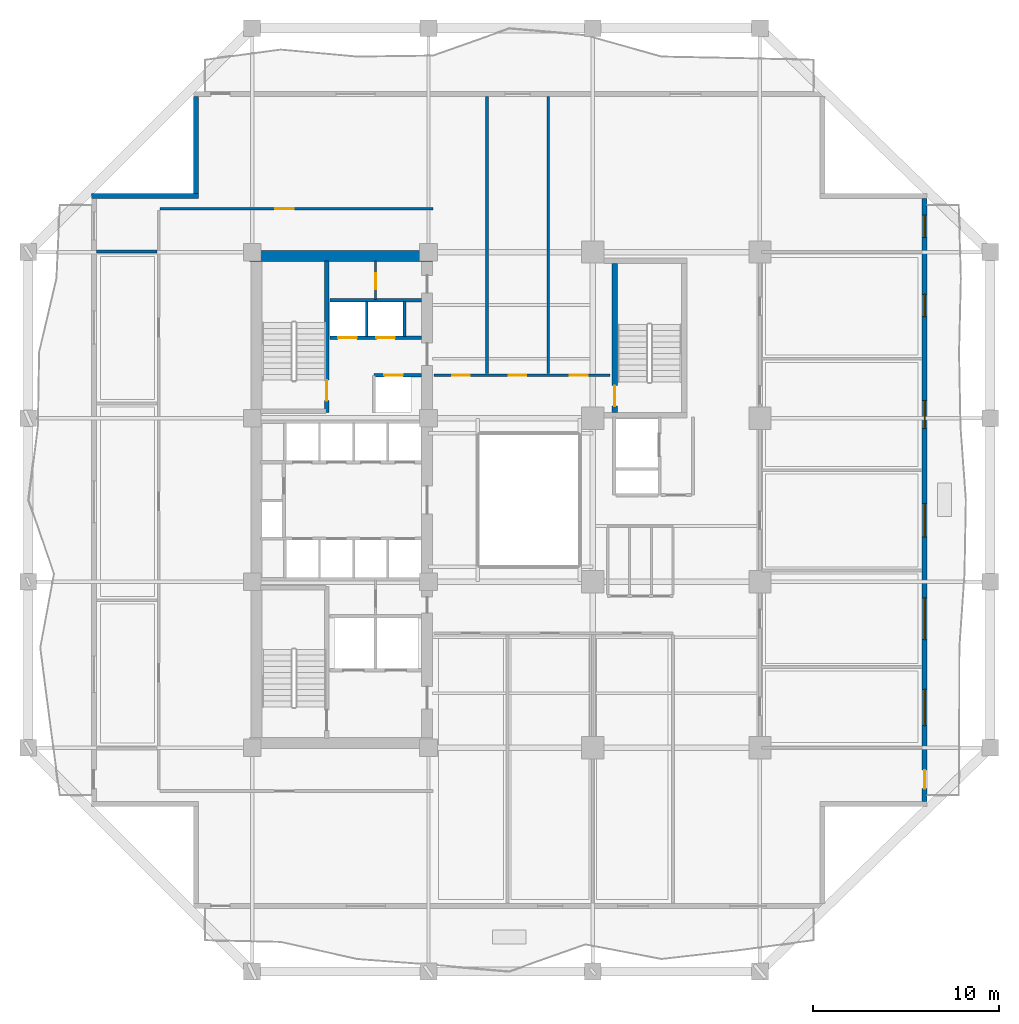
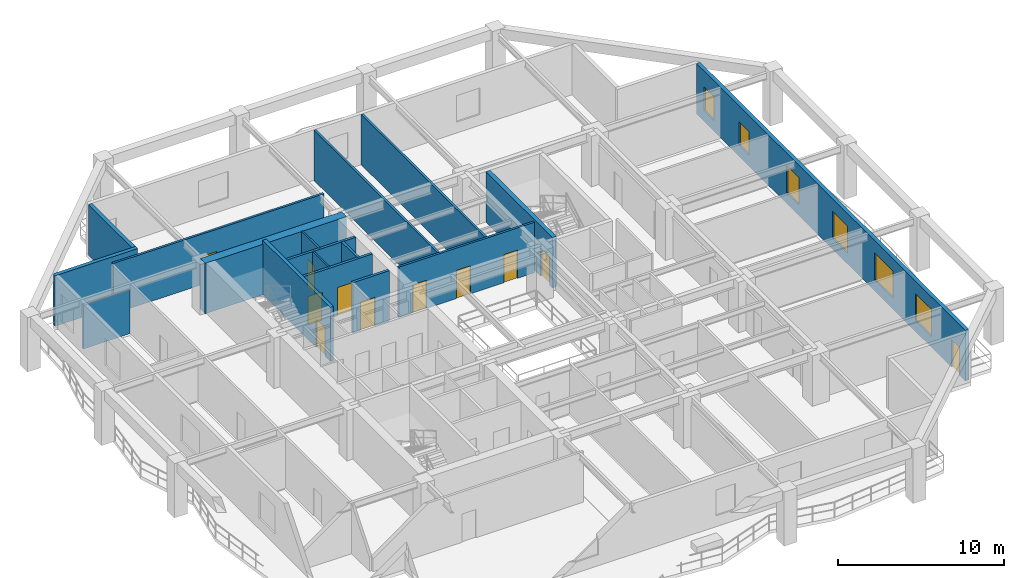
# One storey, part 5 of 13: 17 walls, 11 doors, 6 windows, 17 openings.
"""IFC4 building model written with IfcOpenShell, lengths in metres."""

import ifcopenshell
import ifcopenshell.guid

model = None  # the IFC model being written
_history = None  # IfcOwnerHistory: only IFC2X3 demands one
_inside = {}  # id of a spatial element -> (the spatial element, [elements in it])
_under = {}  # id of a project, library or spatial element -> (it, [spatial elements below it])
_declared = {}  # id of a project -> (the project, [libraries it declares])
_typed = {}  # id of a type object -> (the type object, [elements of that type])
_made_of = {}  # id of a material, layer set ... -> (it, [elements and type objects made of it])


def new_model(schema):
    """Start an empty IFC model of exactly this schema.

    Asked for "IFC4X3", IfcOpenShell would pick the latest addendum, in which some entities
    have other attributes; the version numbers below select the first issue.
    IFC2X3 requires an IfcOwnerHistory on every rooted entity: one is made here for all.
    """
    global model, _history
    if schema == "IFC4X3":
        model = ifcopenshell.file(schema_version=(4, 3, 0, 0))
    else:
        model = ifcopenshell.file(schema=schema)
    _inside.clear()
    _under.clear()
    _declared.clear()
    _typed.clear()
    _made_of.clear()
    _history = None
    if model.schema == "IFC2X3":
        org = make("IfcOrganization", Name="unknown")
        user = make(
            "IfcPersonAndOrganization",
            ThePerson=make("IfcPerson", FamilyName="unknown"),
            TheOrganization=org,
        )
        app = make(
            "IfcApplication",
            ApplicationDeveloper=org,
            Version="unknown",
            ApplicationFullName="unknown",
            ApplicationIdentifier="unknown",
        )
        _history = make(
            "IfcOwnerHistory",
            OwningUser=user,
            OwningApplication=app,
            ChangeAction="ADDED",
            CreationDate=0,
        )
    return model


def make(cls, **values):
    """One entity of the class cls with the attributes given. An attribute that is None is left unset."""
    return model.create_entity(
        cls, **{name: value for name, value in values.items() if value is not None}
    )


def rooted(cls, **values):
    """An entity with a GlobalId (a new one), such as an element, a storey or a relation."""
    return make(cls, GlobalId=ifcopenshell.guid.new(), OwnerHistory=_history, **values)


def si_unit(unit_type, name, prefix=None):
    """IfcSIUnit, for example si_unit("LENGTHUNIT", "METRE", prefix="MILLI")."""
    return make("IfcSIUnit", UnitType=unit_type, Prefix=prefix, Name=name)


def assignment(units):
    """IfcUnitAssignment: the units of a project."""
    return None if units is None else make("IfcUnitAssignment", Units=units)


def point(xyz):
    """IfcCartesianPoint."""
    return None if xyz is None else make("IfcCartesianPoint", Coordinates=xyz)


def direction(xyz):
    """IfcDirection."""
    return None if xyz is None else make("IfcDirection", DirectionRatios=xyz)


def frame(location, z_axis=None, x_axis=None):
    """IfcAxis2Placement3D, a coordinate frame: its origin and axes. An axis left out is left unset."""
    return make(
        "IfcAxis2Placement3D",
        Location=point(location),
        Axis=direction(z_axis),
        RefDirection=direction(x_axis),
    )


def frame_2d(location, x_axis=None):
    """IfcAxis2Placement2D, a coordinate frame in the plane: its origin and x axis."""
    return make(
        "IfcAxis2Placement2D", Location=point(location), RefDirection=direction(x_axis)
    )


def origin():
    """The frame at (0, 0, 0) with its axes left unset."""
    return frame((0.0, 0.0, 0.0))


def place(relative_to, where):
    """IfcLocalPlacement: puts the frame where relative to a parent placement (None: the world)."""
    return make(
        "IfcLocalPlacement", PlacementRelTo=relative_to, RelativePlacement=where
    )


def context(
    kind, dimensions, precision=None, world=None, true_north=None, identifier=None
):
    """IfcGeometricRepresentationContext, for example the 3D "Model" context."""
    return make(
        "IfcGeometricRepresentationContext",
        ContextIdentifier=identifier,
        ContextType=kind,
        CoordinateSpaceDimension=dimensions,
        Precision=precision,
        WorldCoordinateSystem=world,
        TrueNorth=true_north,
    )


def subcontext(parent, identifier, kind, view, scale=None):
    """IfcGeometricRepresentationSubContext, for example "Body" below "Model"."""
    return make(
        "IfcGeometricRepresentationSubContext",
        ContextIdentifier=identifier,
        ContextType=kind,
        ParentContext=parent,
        TargetScale=scale,
        TargetView=view,
    )


def project(units=None, contexts=None):
    """IfcProject with its units and contexts."""
    return rooted(
        "IfcProject",
        Name="project",
        RepresentationContexts=contexts,
        UnitsInContext=assignment(units),
    )


def spatial(cls, under=None, at=None, **own):
    """A site, building, storey or space (cls), placed at a placement, below another one or the project."""
    s = rooted(cls, ObjectPlacement=at, **own)
    if under is not None:
        _under.setdefault(under.id(), (under, []))[1].append(s)
    return s


def profile(cls, at=None, kind="AREA", **sizes):
    """A parametric profile (cls). Its sizes go by their IFC names, for example OverallWidth=200.0."""
    return make(cls, ProfileType=kind, Position=at, **sizes)


def rectangle(**sizes):
    """IfcRectangleProfileDef."""
    return profile("IfcRectangleProfileDef", **sizes)


def extrude(swept, where, along, depth):
    """IfcExtrudedAreaSolid: the profile swept, set in the frame where, extruded along a direction by depth."""
    return make(
        "IfcExtrudedAreaSolid",
        SweptArea=swept,
        Position=where,
        ExtrudedDirection=direction(along),
        Depth=depth,
    )


def shape(context_of_items, identifier, shape_type, items):
    """IfcShapeRepresentation: the items that make up one representation, for example the "Body"."""
    return make(
        "IfcShapeRepresentation",
        ContextOfItems=context_of_items,
        RepresentationIdentifier=identifier,
        RepresentationType=shape_type,
        Items=items,
    )


def material(Name=None, Category=None):
    """IfcMaterial."""
    return make("IfcMaterial", Name=Name, Category=Category)


def layer(
    of_material, thickness, ventilated=None, Name=None, Category=None, Priority=None
):
    """IfcMaterialLayer: one layer of a wall or slab, of a material (None: an air gap)."""
    return make(
        "IfcMaterialLayer",
        Material=of_material,
        LayerThickness=thickness,
        IsVentilated=ventilated,
        Name=Name,
        Category=Category,
        Priority=Priority,
    )


def layer_set(layers, Name=None):
    """IfcMaterialLayerSet."""
    return make("IfcMaterialLayerSet", MaterialLayers=layers, LayerSetName=Name)


def made_of(thing, what):
    """Note that an element or type object is made of a material, layer set ...; save() writes the relation."""
    if what is not None:
        _made_of.setdefault(what.id(), (what, []))[1].append(thing)
    return thing


def type_object(cls, material=None, **own):
    """A type object (cls), such as IfcWallType, which elements share."""
    return made_of(rooted(cls, **own), material)


def element(
    cls,
    number,
    at=None,
    inside=None,
    cuts=None,
    type_object=None,
    material=None,
    context=None,
    identifier="Body",
    shape_type=None,
    held_by="IfcProductDefinitionShape",
    body=None,
    shapes=None,
    **own,
):
    """One element of the class cls, such as IfcWall. Its Tag is "e" and its number.

    at: its placement. inside: the storey or other place that contains it. cuts: it is an
    opening in that element (IfcRelVoidsElement). A single representation is given by context,
    identifier, shape_type and body (its items); several are given by shapes. held_by: the class
    of the entity that holds the representations. save() writes the other relations.
    """
    e = rooted(cls, Tag="e%d" % number, ObjectPlacement=at, **own)
    if body is not None:
        shapes = [shape(context, identifier, shape_type, body)]
    if shapes is not None:
        e.Representation = make(held_by, Representations=shapes)
    if inside is not None:
        _inside.setdefault(inside.id(), (inside, []))[1].append(e)
    if cuts is not None:
        rooted(
            "IfcRelVoidsElement", RelatingBuildingElement=cuts, RelatedOpeningElement=e
        )
    if type_object is not None:
        _typed.setdefault(type_object.id(), (type_object, []))[1].append(e)
    return made_of(e, material)


def fill(opening, filler):
    """IfcRelFillsElement: the door or window that sits in an opening."""
    return rooted(
        "IfcRelFillsElement",
        RelatingOpeningElement=opening,
        RelatedBuildingElement=filler,
    )


def aggregate(whole, parts):
    """IfcRelAggregates: a whole, such as a stair, and the parts it consists of."""
    return rooted("IfcRelAggregates", RelatingObject=whole, RelatedObjects=parts)


def save(model, path):
    """Write the relations noted so far, then the file.

    IfcRelAggregates (storeys below a building ...), IfcRelContainedInSpatialStructure (elements
    in a storey), IfcRelDefinesByType, IfcRelAssociatesMaterial and IfcRelDeclares: one each for
    every whole, place, type object, material and project.
    """
    for whole, parts in _under.values():
        aggregate(whole, parts)
    for where, things in _inside.values():
        rooted(
            "IfcRelContainedInSpatialStructure",
            RelatedElements=things,
            RelatingStructure=where,
        )
    for kind, things in _typed.values():
        rooted("IfcRelDefinesByType", RelatedObjects=things, RelatingType=kind)
    for what, things in _made_of.values():
        rooted("IfcRelAssociatesMaterial", RelatedObjects=things, RelatingMaterial=what)
    for by, libraries in _declared.values():
        rooted("IfcRelDeclares", RelatingContext=by, RelatedDefinitions=libraries)
    model.write(path)


model = new_model("IFC4")

# Units and contexts
model_context = context("Model", 3, precision=1e-05, world=origin(), true_north=direction((0.0, 1.0)))
body_context = subcontext(model_context, "Body", "Model", "MODEL_VIEW")
ifc_project = project(units=[si_unit("LENGTHUNIT", "METRE"), si_unit("AREAUNIT", "SQUARE_METRE"), si_unit("VOLUMEUNIT", "CUBIC_METRE"), si_unit("PLANEANGLEUNIT", "RADIAN"), si_unit("MASSUNIT", "GRAM", prefix="KILO")], contexts=[model_context])

# Site, building, storey
site_placement = place(None, origin())
site = spatial("IfcSite", under=ifc_project, at=site_placement, CompositionType="ELEMENT")
building_placement = place(site_placement, origin())
building = spatial("IfcBuilding", under=site, at=building_placement, Name="Kundavana Baori Tower", CompositionType="ELEMENT")
storey_placement = place(building_placement, frame((0.0, 0.0, 58.0)))
storey = spatial("IfcBuildingStorey", under=building, at=storey_placement, Name="L13", CompositionType="ELEMENT", Elevation=58.0)

# Wall, opening, door
ifc_material_1 = material(Name="Concrete C50/60", Category="concrete")
ifc_layer_1 = layer(ifc_material_1, 0.39990234375, Name="WL-CORE-400")
ifc_layer_set_1 = layer_set([ifc_layer_1], Name="Concrete C50/60")
wall_type_1 = type_object("IfcWallType", Name="WL-CORE-400", PredefinedType="SHEAR", material=ifc_layer_set_1)
wall_1_placement = place(storey_placement, frame((19.4599609375, 33.300048828125, 0.0), z_axis=(0.0, 0.0, 1.0), x_axis=(0.0, 1.0, 0.0)))
wall_1 = element("IfcWall", 1, at=wall_1_placement, inside=storey, type_object=wall_type_1, Name="WL-L13-ST2-E", PredefinedType="SHEAR", context=body_context, shape_type="SweptSolid", body=[
    extrude(rectangle(XDim=8.179931640625, YDim=0.239990234375, at=frame_2d((4.08984375, 0.0))), origin(), (0.0, 0.0, 1.0), 4.0),
])
opening_1_placement = place(wall_1_placement, frame((0.64990234375, 0.0, 0.0)))
opening_1 = element("IfcOpeningElement", 2, at=opening_1_placement, cuts=wall_1, Name="Opening FD-110", PredefinedType="OPENING", context=body_context, shape_type="SweptSolid", body=[
    extrude(rectangle(XDim=1.10009765625, YDim=2.10009765625, at=frame_2d((0.550048828125, 1.050048828125))), frame((0.0, 0.1298828125, 0.0), z_axis=(0.0, -1.0, 0.0), x_axis=(1.0, 0.0, 0.0)), (0.0, 0.0, 1.0), 0.260009765625),
])
ifc_material_2 = material(Name="Galvanised Steel Fire-Rated Door Leaf", Category="steel")
door_type_1 = type_object("IfcDoorType", Name="DR-FD120-1100", OperationType="NOTDEFINED", PredefinedType="DOOR", material=ifc_material_2)
door_1_placement = place(opening_1_placement, origin())
door_1 = element("IfcDoor", 3, at=door_1_placement, inside=storey, type_object=door_type_1, Name="DR-L13-ST2", OperationType="SINGLE_SWING_RIGHT", OverallHeight=2.10009765625, OverallWidth=1.10009765625, PredefinedType="DOOR", context=body_context, shape_type="SweptSolid", body=[
    extrude(rectangle(XDim=1.10009765625, YDim=2.10009765625, at=frame_2d((0.550048828125, 1.050048828125))), frame((0.0, 0.02490234375, 0.0), z_axis=(0.0, -1.0, 0.0), x_axis=(1.0, 0.0, 0.0)), (0.0, 0.0, 1.0), 0.050048828125),
])
fill(opening_1, door_1)

# Wall
ifc_material_3 = material(Name="Concrete C60/75", Category="concrete")
ifc_layer_2 = layer(ifc_material_3, 0.60009765625, Name="WL-CORE-600")
ifc_layer_set_2 = layer_set([ifc_layer_2], Name="Concrete C60/75")
wall_type_2 = type_object("IfcWallType", Name="WL-CORE-600", PredefinedType="SHEAR", material=ifc_layer_set_2)
wall_2_placement = place(storey_placement, frame((15.300048828125, 41.739990234375, 0.0), z_axis=(0.0, 0.0, 1.0), x_axis=(1.0, 0.0, 0.0)))
element("IfcWall", 4, at=wall_2_placement, inside=storey, type_object=wall_type_2, Name="L13 Offset Core North Shear Wall", PredefinedType="SHEAR", context=body_context, shape_type="SweptSolid", body=[
    extrude(rectangle(XDim=9.8798828125, YDim=0.60009765625, at=frame_2d((4.93994140625, 0.0))), origin(), (0.0, 0.0, 1.0), 3.719970703125),
])

# Wall, openings, door, windows
ifc_material_4 = material(Name="Kiln-Fired Terracotta Brick-Slip Masonry on Concrete C40/50", Category="masonry")
ifc_layer_3 = layer(ifc_material_4, 0.260009765625, Name="WL-EXT-BRK-260")
ifc_layer_set_3 = layer_set([ifc_layer_3], Name="Kiln-Fired Terracotta Brick-Slip Masonry on Concrete C40/50")
wall_type_3 = type_object("IfcWallType", Name="WL-EXT-BRK-260", PredefinedType="SOLIDWALL", material=ifc_layer_set_3)
wall_3_placement = place(storey_placement, frame((51.669921875, 12.360107421875, 0.0), z_axis=(0.0, 0.0, 1.0), x_axis=(0.0, 1.0, 0.0)))
wall_3 = element("IfcWall", 5, at=wall_3_placement, inside=storey, type_object=wall_type_3, Name="L13 Exterior Insulated Facade Wall 04", PredefinedType="SOLIDWALL", context=body_context, shape_type="SweptSolid", body=[
    extrude(rectangle(XDim=32.47998046875, YDim=0.260009765625, at=frame_2d((16.239990234375, 0.0))), origin(), (0.0, 0.0, 1.0), 3.719970703125),
])
opening_2_placement = place(wall_3_placement, frame((0.68994140625, 0.0, 0.0)))
opening_2 = element("IfcOpeningElement", 6, at=opening_2_placement, cuts=wall_3, Name="Opening BD-1", PredefinedType="OPENING", context=body_context, shape_type="SweptSolid", body=[
    extrude(rectangle(XDim=1.0, YDim=2.050048828125, at=frame_2d((0.5, 1.02490234375))), frame((0.0, 0.14013671875, 0.0), z_axis=(0.0, -1.0, 0.0), x_axis=(1.0, 0.0, 0.0)), (0.0, 0.0, 1.0), 0.280029296875),
])
opening_3_placement = place(wall_3_placement, frame((4.090087890625, 0.0, 0.800048828125)))
opening_3 = element("IfcOpeningElement", 7, at=opening_3_placement, cuts=wall_3, Name="Opening W-09", PredefinedType="OPENING", context=body_context, shape_type="SweptSolid", body=[
    extrude(rectangle(XDim=1.949951171875, YDim=2.0, at=frame_2d((0.97509765625, 1.0))), frame((0.0, 0.14013671875, 0.0), z_axis=(0.0, -1.0, 0.0), x_axis=(1.0, 0.0, 0.0)), (0.0, 0.0, 1.0), 0.280029296875),
])
opening_4_placement = place(wall_3_placement, frame((8.715087890625, 0.0, 0.800048828125)))
opening_4 = element("IfcOpeningElement", 8, at=opening_4_placement, cuts=wall_3, Name="Opening W-10", PredefinedType="OPENING", context=body_context, shape_type="SweptSolid", body=[
    extrude(rectangle(XDim=2.25, YDim=2.0, at=frame_2d((1.125, 1.0))), frame((0.0, 0.14013671875, 0.0), z_axis=(0.0, -1.0, 0.0), x_axis=(1.0, 0.0, 0.0)), (0.0, 0.0, 1.0), 0.280029296875),
])
opening_5_placement = place(wall_3_placement, frame((14.239990234375, 0.0, 0.800048828125)))
opening_5 = element("IfcOpeningElement", 9, at=opening_5_placement, cuts=wall_3, Name="Opening W-01", PredefinedType="OPENING", context=body_context, shape_type="SweptSolid", body=[
    extrude(rectangle(XDim=1.800048828125, YDim=2.0, at=frame_2d((0.89990234375, 1.0))), frame((0.0, 0.14013671875, 0.0), z_axis=(0.0, -1.0, 0.0), x_axis=(1.0, 0.0, 0.0)), (0.0, 0.0, 1.0), 0.280029296875),
])
opening_6_placement = place(wall_3_placement, frame((20.090087890625, 0.0, 0.800048828125)))
opening_6 = element("IfcOpeningElement", 10, at=opening_6_placement, cuts=wall_3, Name="Opening W-02", PredefinedType="OPENING", context=body_context, shape_type="SweptSolid", body=[
    extrude(rectangle(XDim=1.5, YDim=2.0, at=frame_2d((0.75, 1.0))), frame((0.0, 0.14013671875, 0.0), z_axis=(0.0, -1.0, 0.0), x_axis=(1.0, 0.0, 0.0)), (0.0, 0.0, 1.0), 0.280029296875),
])
opening_7_placement = place(wall_3_placement, frame((26.114990234375, 0.0, 0.800048828125)))
opening_7 = element("IfcOpeningElement", 11, at=opening_7_placement, cuts=wall_3, Name="Opening W-03", PredefinedType="OPENING", context=body_context, shape_type="SweptSolid", body=[
    extrude(rectangle(XDim=1.199951171875, YDim=1.75, at=frame_2d((0.60009765625, 0.875))), frame((0.0, 0.14013671875, 0.0), z_axis=(0.0, -1.0, 0.0), x_axis=(1.0, 0.0, 0.0)), (0.0, 0.0, 1.0), 0.280029296875),
])
opening_8_placement = place(wall_3_placement, frame((30.3798828125, 0.0, 0.800048828125)))
opening_8 = element("IfcOpeningElement", 12, at=opening_8_placement, cuts=wall_3, Name="Opening W-03", PredefinedType="OPENING", context=body_context, shape_type="SweptSolid", body=[
    extrude(rectangle(XDim=1.199951171875, YDim=1.75, at=frame_2d((0.60009765625, 0.875))), frame((0.0, 0.14013671875, 0.0), z_axis=(0.0, -1.0, 0.0), x_axis=(1.0, 0.0, 0.0)), (0.0, 0.0, 1.0), 0.280029296875),
])
ifc_material_5 = material(Name="Architectural Patinated Bronze Metalwork")
door_type_2 = type_object("IfcDoorType", Name="DR-EXT-LOG-1000", OperationType="NOTDEFINED", PredefinedType="DOOR", material=ifc_material_5)
door_2_placement = place(opening_2_placement, frame((1.0, 0.0, 0.0), z_axis=(0.0, 0.0, 1.0), x_axis=(-1.0, 0.0, 0.0)))
door_2 = element("IfcDoor", 13, at=door_2_placement, inside=storey, type_object=door_type_2, Name="L13 Loggia Balcony Access Door E", OperationType="SINGLE_SWING_RIGHT", OverallHeight=2.050048828125, OverallWidth=1.0, PredefinedType="DOOR", context=body_context, shape_type="SweptSolid", body=[
    extrude(rectangle(XDim=1.0, YDim=2.050048828125, at=frame_2d((0.5, 1.02490234375))), frame((0.0, 0.02490234375, 0.0), z_axis=(0.0, -1.0, 0.0), x_axis=(1.0, 0.0, 0.0)), (0.0, 0.0, 1.0), 0.050048828125),
])
fill(opening_2, door_2)
ifc_material_6 = material(Name="Double-Glazed Solar-Control Low-E Insulated Glass", Category="glass")
window_type_1 = type_object("IfcWindowType", Name="WIN-LOG-1200x1750", PartitioningType="SINGLE_PANEL", PredefinedType="WINDOW", material=ifc_material_6)
window_1_placement = place(opening_7_placement, origin())
window_1 = element("IfcWindow", 14, at=window_1_placement, inside=storey, type_object=window_type_1, Name="L13 Recessed Loggia Window E-6", OverallHeight=1.75, OverallWidth=1.199951171875, PartitioningType="SINGLE_PANEL", PredefinedType="WINDOW", context=body_context, shape_type="SweptSolid", body=[
    extrude(rectangle(XDim=1.199951171875, YDim=1.75, at=frame_2d((0.60009765625, 0.875))), frame((0.0, 0.030029296875, 0.0), z_axis=(0.0, -1.0, 0.0), x_axis=(1.0, 0.0, 0.0)), (0.0, 0.0, 1.0), 0.06005859375),
])
fill(opening_7, window_1)
window_2_placement = place(opening_8_placement, origin())
window_2 = element("IfcWindow", 15, at=window_2_placement, inside=storey, type_object=window_type_1, Name="L13 Recessed Loggia Window E-7", OverallHeight=1.75, OverallWidth=1.199951171875, PartitioningType="SINGLE_PANEL", PredefinedType="WINDOW", context=body_context, shape_type="SweptSolid", body=[
    extrude(rectangle(XDim=1.199951171875, YDim=1.75, at=frame_2d((0.60009765625, 0.875))), frame((0.0, 0.030029296875, 0.0), z_axis=(0.0, -1.0, 0.0), x_axis=(1.0, 0.0, 0.0)), (0.0, 0.0, 1.0), 0.06005859375),
])
fill(opening_8, window_2)
ifc_material_7 = material(Name="Double-Glazed Solar-Control Low-E Insulated Glass", Category="glass")
window_type_2 = type_object("IfcWindowType", Name="WIN-LOG-1500x2000", PartitioningType="SINGLE_PANEL", PredefinedType="WINDOW", material=ifc_material_7)
window_3_placement = place(opening_6_placement, origin())
window_3 = element("IfcWindow", 16, at=window_3_placement, inside=storey, type_object=window_type_2, Name="L13 Recessed Loggia Window E-5", OverallHeight=2.0, OverallWidth=1.5, PartitioningType="SINGLE_PANEL", PredefinedType="WINDOW", context=body_context, shape_type="SweptSolid", body=[
    extrude(rectangle(XDim=1.5, YDim=2.0, at=frame_2d((0.75, 1.0))), frame((0.0, 0.030029296875, 0.0), z_axis=(0.0, -1.0, 0.0), x_axis=(1.0, 0.0, 0.0)), (0.0, 0.0, 1.0), 0.06005859375),
])
fill(opening_6, window_3)
ifc_material_8 = material(Name="Double-Glazed Solar-Control Low-E Insulated Glass", Category="glass")
window_type_3 = type_object("IfcWindowType", Name="WIN-LOG-1800x2000", PartitioningType="SINGLE_PANEL", PredefinedType="WINDOW", material=ifc_material_8)
window_4_placement = place(opening_5_placement, origin())
window_4 = element("IfcWindow", 17, at=window_4_placement, inside=storey, type_object=window_type_3, Name="L13 Recessed Loggia Window E-4", OverallHeight=2.0, OverallWidth=1.800048828125, PartitioningType="SINGLE_PANEL", PredefinedType="WINDOW", context=body_context, shape_type="SweptSolid", body=[
    extrude(rectangle(XDim=1.800048828125, YDim=2.0, at=frame_2d((0.89990234375, 1.0))), frame((0.0, 0.030029296875, 0.0), z_axis=(0.0, -1.0, 0.0), x_axis=(1.0, 0.0, 0.0)), (0.0, 0.0, 1.0), 0.06005859375),
])
fill(opening_5, window_4)
ifc_material_9 = material(Name="Double-Glazed Solar-Control Low-E Insulated Glass", Category="glass")
window_type_4 = type_object("IfcWindowType", Name="WIN-LOG-1950x2000", PartitioningType="SINGLE_PANEL", PredefinedType="WINDOW", material=ifc_material_9)
window_5_placement = place(opening_3_placement, origin())
window_5 = element("IfcWindow", 18, at=window_5_placement, inside=storey, type_object=window_type_4, Name="L13 Recessed Loggia Window E-2", OverallHeight=2.0, OverallWidth=1.949951171875, PartitioningType="SINGLE_PANEL", PredefinedType="WINDOW", context=body_context, shape_type="SweptSolid", body=[
    extrude(rectangle(XDim=1.949951171875, YDim=2.0, at=frame_2d((0.97509765625, 1.0))), frame((0.0, 0.030029296875, 0.0), z_axis=(0.0, -1.0, 0.0), x_axis=(1.0, 0.0, 0.0)), (0.0, 0.0, 1.0), 0.06005859375),
])
fill(opening_3, window_5)
ifc_material_10 = material(Name="Double-Glazed Solar-Control Low-E Insulated Glass", Category="glass")
window_type_5 = type_object("IfcWindowType", Name="WIN-LOG-2250x2000", PartitioningType="SINGLE_PANEL", PredefinedType="WINDOW", material=ifc_material_10)
window_6_placement = place(opening_4_placement, origin())
window_6 = element("IfcWindow", 19, at=window_6_placement, inside=storey, type_object=window_type_5, Name="L13 Recessed Loggia Window E-3", OverallHeight=2.0, OverallWidth=2.25, PartitioningType="SINGLE_PANEL", PredefinedType="WINDOW", context=body_context, shape_type="SweptSolid", body=[
    extrude(rectangle(XDim=2.25, YDim=2.0, at=frame_2d((1.125, 1.0))), frame((0.0, 0.030029296875, 0.0), z_axis=(0.0, -1.0, 0.0), x_axis=(1.0, 0.0, 0.0)), (0.0, 0.0, 1.0), 0.06005859375),
])
fill(opening_4, window_6)

# Walls
wall_4_placement = place(storey_placement, frame((12.429931640625, 50.340087890625, 0.0), z_axis=(0.0, 0.0, 1.0), x_axis=(0.0, -1.0, 0.0)))
element("IfcWall", 20, at=wall_4_placement, inside=storey, type_object=wall_type_3, Name="L13 Exterior Insulated Facade Wall 08", PredefinedType="SOLIDWALL", context=body_context, shape_type="SweptSolid", body=[
    extrude(rectangle(XDim=5.239990234375, YDim=0.260009765625, at=frame_2d((2.6201171875, 0.0))), origin(), (0.0, 0.0, 1.0), 3.719970703125),
])
wall_5_placement = place(storey_placement, frame((12.56005859375, 44.969970703125, 0.0), z_axis=(0.0, 0.0, 1.0), x_axis=(-1.0, 0.0, 0.0)))
element("IfcWall", 21, at=wall_5_placement, inside=storey, type_object=wall_type_3, Name="L13 Exterior Insulated Facade Wall 09", PredefinedType="SOLIDWALL", context=body_context, shape_type="SweptSolid", body=[
    extrude(rectangle(XDim=5.760009765625, YDim=0.260009765625, at=frame_2d((2.8798828125, 0.0))), origin(), (0.0, 0.0, 1.0), 3.719970703125),
])
ifc_material_11 = material(Name="Acoustic Gypsum Plasterboard on Galvanised Steel Studs", Category="steel")
ifc_layer_4 = layer(ifc_material_11, 0.1201171875, Name="WL-PART-120")
ifc_layer_set_4 = layer_set([ifc_layer_4], Name="Acoustic Gypsum Plasterboard on Galvanised Steel Studs")
wall_type_4 = type_object("IfcWallType", Name="WL-PART-120", PredefinedType="PARTITIONING", material=ifc_layer_set_4)
wall_6_placement = place(storey_placement, frame((21.6201171875, 37.39990234375, 0.0), z_axis=(0.0, 0.0, 1.0), x_axis=(0.0, 1.0, 0.0)))
element("IfcWall", 22, at=wall_6_placement, inside=storey, type_object=wall_type_4, Name="WL-L13-HR-DIV1", PredefinedType="PARTITIONING", context=body_context, shape_type="SweptSolid", body=[
    extrude(rectangle(XDim=1.900146484375, YDim=0.1201171875, at=frame_2d((0.9501953125, 0.0))), origin(), (0.0, 0.0, 1.0), 3.719970703125),
])

# Wall, opening, door
wall_7_placement = place(storey_placement, frame((22.10009765625, 39.39990234375, 0.0), z_axis=(0.0, 0.0, 1.0), x_axis=(0.0, 1.0, 0.0)))
wall_7 = element("IfcWall", 23, at=wall_7_placement, inside=storey, type_object=wall_type_4, Name="WL-L13-CSRV-D1", PredefinedType="PARTITIONING", context=body_context, shape_type="SweptSolid", body=[
    extrude(rectangle(XDim=2.080078125, YDim=0.1201171875, at=frame_2d((1.0400390625, 0.0))), origin(), (0.0, 0.0, 1.0), 3.719970703125),
])
opening_9_placement = place(wall_7_placement, frame((0.550048828125, 0.0, 0.0)))
opening_9 = element("IfcOpeningElement", 24, at=opening_9_placement, cuts=wall_7, Name="Opening FD-085", PredefinedType="OPENING", context=body_context, shape_type="SweptSolid", body=[
    extrude(rectangle(XDim=0.85009765625, YDim=2.06005859375, at=frame_2d((0.425048828125, 1.030029296875))), frame((0.0, 0.070068359375, 0.0), z_axis=(0.0, -1.0, 0.0), x_axis=(1.0, 0.0, 0.0)), (0.0, 0.0, 1.0), 0.14013671875),
])
ifc_material_12 = material(Name="Galvanised Steel Fire-Rated Door Leaf", Category="steel")
door_type_3 = type_object("IfcDoorType", Name="DR-FD60-850", OperationType="NOTDEFINED", PredefinedType="DOOR", material=ifc_material_12)
door_3_placement = place(opening_9_placement, origin())
door_3 = element("IfcDoor", 25, at=door_3_placement, inside=storey, type_object=door_type_3, Name="DR-L13-CSRV1", OperationType="SINGLE_SWING_LEFT", OverallHeight=2.06005859375, OverallWidth=0.85009765625, PredefinedType="DOOR", context=body_context, shape_type="SweptSolid", body=[
    extrude(rectangle(XDim=0.85009765625, YDim=2.06005859375, at=frame_2d((0.425048828125, 1.030029296875))), frame((0.0, 0.02490234375, 0.0), z_axis=(0.0, -1.0, 0.0), x_axis=(1.0, 0.0, 0.0)), (0.0, 0.0, 1.0), 0.050048828125),
])
fill(opening_9, door_3)

# Wall, openings, doors
ifc_material_13 = material(Name="Fire-Rated Gypsum Drywall on Galvanised Steel Studs", Category="steel")
ifc_layer_5 = layer(ifc_material_13, 0.14990234375, Name="WL-PART-150")
ifc_layer_set_5 = layer_set([ifc_layer_5], Name="Fire-Rated Gypsum Drywall on Galvanised Steel Studs")
wall_type_5 = type_object("IfcWallType", Name="WL-PART-150", PredefinedType="PARTITIONING", material=ifc_layer_set_5)
wall_8_placement = place(storey_placement, frame((25.25, 35.320068359375, 0.0), z_axis=(0.0, 0.0, 1.0), x_axis=(1.0, 0.0, 0.0)))
wall_8 = element("IfcWall", 26, at=wall_8_placement, inside=storey, type_object=wall_type_5, Name="WL-L13-OFN", PredefinedType="PARTITIONING", context=body_context, shape_type="SweptSolid", body=[
    extrude(rectangle(XDim=9.469970703125, YDim=0.14990234375, at=frame_2d((4.73486328125, 0.0))), origin(), (0.0, 0.0, 1.0), 3.719970703125),
])
opening_10_placement = place(wall_8_placement, frame((0.97509765625, 0.0, 0.0)))
opening_10 = element("IfcOpeningElement", 27, at=opening_10_placement, cuts=wall_8, Name="Opening ID-095", PredefinedType="OPENING", context=body_context, shape_type="SweptSolid", body=[
    extrude(rectangle(XDim=0.949951171875, YDim=2.080078125, at=frame_2d((0.47509765625, 1.0400390625))), frame((0.0, 0.0849609375, 0.0), z_axis=(0.0, -1.0, 0.0), x_axis=(1.0, 0.0, 0.0)), (0.0, 0.0, 1.0), 0.169921875),
])
opening_11_placement = place(wall_8_placement, frame((4.02490234375, 0.0, 0.0)))
opening_11 = element("IfcOpeningElement", 28, at=opening_11_placement, cuts=wall_8, Name="Opening ID-095", PredefinedType="OPENING", context=body_context, shape_type="SweptSolid", body=[
    extrude(rectangle(XDim=0.949951171875, YDim=2.080078125, at=frame_2d((0.47509765625, 1.0400390625))), frame((0.0, 0.0849609375, 0.0), z_axis=(0.0, -1.0, 0.0), x_axis=(1.0, 0.0, 0.0)), (0.0, 0.0, 1.0), 0.169921875),
])
opening_12_placement = place(wall_8_placement, frame((7.31494140625, 0.0, 0.0)))
opening_12 = element("IfcOpeningElement", 29, at=opening_12_placement, cuts=wall_8, Name="Opening ID-095", PredefinedType="OPENING", context=body_context, shape_type="SweptSolid", body=[
    extrude(rectangle(XDim=0.949951171875, YDim=2.080078125, at=frame_2d((0.47509765625, 1.0400390625))), frame((0.0, 0.0849609375, 0.0), z_axis=(0.0, -1.0, 0.0), x_axis=(1.0, 0.0, 0.0)), (0.0, 0.0, 1.0), 0.169921875),
])
ifc_material_14 = material(Name="Engineered Teak Solid-Core Timber Veneer", Category="wood")
door_type_4 = type_object("IfcDoorType", Name="DR-INT-950", OperationType="NOTDEFINED", PredefinedType="DOOR", material=ifc_material_14)
door_4_placement = place(opening_10_placement, origin())
door_4 = element("IfcDoor", 30, at=door_4_placement, inside=storey, type_object=door_type_4, Name="DR-L13-OFN1", OperationType="SINGLE_SWING_LEFT", OverallHeight=2.080078125, OverallWidth=0.949951171875, PredefinedType="DOOR", context=body_context, shape_type="SweptSolid", body=[
    extrude(rectangle(XDim=0.949951171875, YDim=2.080078125, at=frame_2d((0.47509765625, 1.0400390625))), frame((0.0, 0.02490234375, 0.0), z_axis=(0.0, -1.0, 0.0), x_axis=(1.0, 0.0, 0.0)), (0.0, 0.0, 1.0), 0.050048828125),
])
fill(opening_10, door_4)
door_5_placement = place(opening_11_placement, origin())
door_5 = element("IfcDoor", 31, at=door_5_placement, inside=storey, type_object=door_type_4, Name="DR-L13-OFN2", OperationType="SINGLE_SWING_LEFT", OverallHeight=2.080078125, OverallWidth=0.949951171875, PredefinedType="DOOR", context=body_context, shape_type="SweptSolid", body=[
    extrude(rectangle(XDim=0.949951171875, YDim=2.080078125, at=frame_2d((0.47509765625, 1.0400390625))), frame((0.0, 0.02490234375, 0.0), z_axis=(0.0, -1.0, 0.0), x_axis=(1.0, 0.0, 0.0)), (0.0, 0.0, 1.0), 0.050048828125),
])
fill(opening_11, door_5)
door_6_placement = place(opening_12_placement, origin())
door_6 = element("IfcDoor", 32, at=door_6_placement, inside=storey, type_object=door_type_4, Name="DR-L13-OFN3", OperationType="SINGLE_SWING_LEFT", OverallHeight=2.080078125, OverallWidth=0.949951171875, PredefinedType="DOOR", context=body_context, shape_type="SweptSolid", body=[
    extrude(rectangle(XDim=0.949951171875, YDim=2.080078125, at=frame_2d((0.47509765625, 1.0400390625))), frame((0.0, 0.02490234375, 0.0), z_axis=(0.0, -1.0, 0.0), x_axis=(1.0, 0.0, 0.0)), (0.0, 0.0, 1.0), 0.050048828125),
])
fill(opening_12, door_6)

# Wall
wall_9_placement = place(storey_placement, frame((7.080078125, 41.97998046875, 0.0), z_axis=(0.0, 0.0, 1.0), x_axis=(1.0, 0.0, 0.0)))
element("IfcWall", 33, at=wall_9_placement, inside=storey, type_object=wall_type_5, Name="WL-L13-OWN", PredefinedType="PARTITIONING", context=body_context, shape_type="SweptSolid", body=[
    extrude(rectangle(XDim=3.260009765625, YDim=0.14990234375, at=frame_2d((1.6298828125, 0.0))), origin(), (0.0, 0.0, 1.0), 3.219970703125),
])

# Wall, opening, door
wall_10_placement = place(storey_placement, frame((10.5, 44.280029296875, 0.0), z_axis=(0.0, 0.0, 1.0), x_axis=(1.0, 0.0, 0.0)))
wall_10 = element("IfcWall", 34, at=wall_10_placement, inside=storey, type_object=wall_type_5, Name="WL-L13-ONC", PredefinedType="PARTITIONING", context=body_context, shape_type="SweptSolid", body=[
    extrude(rectangle(XDim=14.699951171875, YDim=0.14990234375, at=frame_2d((7.35009765625, 0.0))), origin(), (0.0, 0.0, 1.0), 3.719970703125),
])
opening_13_placement = place(wall_10_placement, frame((6.199951171875, 0.0, 0.0)))
opening_13 = element("IfcOpeningElement", 35, at=opening_13_placement, cuts=wall_10, Name="Opening ID-100", PredefinedType="OPENING", context=body_context, shape_type="SweptSolid", body=[
    extrude(rectangle(XDim=1.0, YDim=2.080078125, at=frame_2d((0.5, 1.0400390625))), frame((0.0, 0.0849609375, 0.0), z_axis=(0.0, -1.0, 0.0), x_axis=(1.0, 0.0, 0.0)), (0.0, 0.0, 1.0), 0.169921875),
])
ifc_material_15 = material(Name="Engineered Teak Solid-Core Timber Veneer", Category="wood")
door_type_5 = type_object("IfcDoorType", Name="DR-INT-1000", OperationType="NOTDEFINED", PredefinedType="DOOR", material=ifc_material_15)
door_7_placement = place(opening_13_placement, origin())
door_7 = element("IfcDoor", 36, at=door_7_placement, inside=storey, type_object=door_type_5, Name="DR-L13-ONWC", OperationType="SINGLE_SWING_RIGHT", OverallHeight=2.080078125, OverallWidth=1.0, PredefinedType="DOOR", context=body_context, shape_type="SweptSolid", body=[
    extrude(rectangle(XDim=1.0, YDim=2.080078125, at=frame_2d((0.5, 1.0400390625))), frame((0.0, 0.02490234375, 0.0), z_axis=(0.0, -1.0, 0.0), x_axis=(1.0, 0.0, 0.0)), (0.0, 0.0, 1.0), 0.050048828125),
])
fill(opening_13, door_7)

# Walls
for number, where, z_axis, x_axis, name in (
    (37, (28.10009765625, 35.39990234375, 0.0), (0.0, 0.0, 1.0), (0.0, 1.0, 0.0), "WL-L13-ND1"),
    (38, (31.39990234375, 35.39990234375, 0.0), (0.0, 0.0, 1.0), (0.0, 1.0, 0.0), "WL-L13-ND2"),
):
    element("IfcWall", number, at=place(storey_placement, frame(where, z_axis=z_axis, x_axis=x_axis)), inside=storey, type_object=wall_type_5, Name=name, PredefinedType="PARTITIONING", context=body_context, shape_type="SweptSolid", body=[
        extrude(rectangle(XDim=14.920166015625, YDim=0.14990234375, at=frame_2d((7.4599609375, 0.0))), origin(), (0.0, 0.0, 1.0), 3.719970703125),
    ])

# Wall, opening, door
ifc_material_16 = material(Name="Autoclaved Aerated Concrete Blockwork Masonry", Category="masonry")
ifc_layer_6 = layer(ifc_material_16, 0.179931640625, Name="WL-SHAFT-180")
ifc_layer_set_6 = layer_set([ifc_layer_6], Name="Autoclaved Aerated Concrete Blockwork Masonry")
wall_type_6 = type_object("IfcWallType", Name="WL-SHAFT-180", PredefinedType="SOLIDWALL", material=ifc_layer_set_6)
wall_11_placement = place(storey_placement, frame((22.02001953125, 35.31005859375, 0.0), z_axis=(0.0, 0.0, 1.0), x_axis=(1.0, 0.0, 0.0)))
wall_11 = element("IfcWall", 39, at=wall_11_placement, inside=storey, type_object=wall_type_6, Name="WL-L13-LP11-N", PredefinedType="SOLIDWALL", context=body_context, shape_type="SweptSolid", body=[
    extrude(rectangle(XDim=2.56005859375, YDim=0.179931640625, at=frame_2d((1.280029296875, 0.0))), origin(), (0.0, 0.0, 1.0), 3.719970703125),
])
opening_14_placement = place(wall_11_placement, frame((0.550048828125, 0.0, 0.0)))
opening_14 = element("IfcOpeningElement", 40, at=opening_14_placement, cuts=wall_11, Name="Opening LD-100", PredefinedType="OPENING", context=body_context, shape_type="SweptSolid", body=[
    extrude(rectangle(XDim=1.0, YDim=2.10009765625, at=frame_2d((0.5, 1.050048828125))), frame((0.0, 0.10009765625, 0.0), z_axis=(0.0, -1.0, 0.0), x_axis=(1.0, 0.0, 0.0)), (0.0, 0.0, 1.0), 0.199951171875),
])
ifc_material_17 = material(Name="Galvanised Steel Fire-Rated Door Leaf", Category="steel")
door_type_6 = type_object("IfcDoorType", Name="DR-SLIDE-LD1000", OperationType="NOTDEFINED", PredefinedType="DOOR", material=ifc_material_17)
door_8_placement = place(opening_14_placement, origin())
door_8 = element("IfcDoor", 41, at=door_8_placement, inside=storey, type_object=door_type_6, Name="DR-L13-LD-LP11", OperationType="DOUBLE_DOOR_SLIDING", OverallHeight=2.10009765625, OverallWidth=1.0, PredefinedType="DOOR", context=body_context, shape_type="SweptSolid", body=[
    extrude(rectangle(XDim=1.0, YDim=2.10009765625, at=frame_2d((0.5, 1.050048828125))), frame((0.0, 0.02490234375, 0.0), z_axis=(0.0, -1.0, 0.0), x_axis=(1.0, 0.0, 0.0)), (0.0, 0.0, 1.0), 0.050048828125),
])
fill(opening_14, door_8)

# Wall, openings, doors
wall_12_placement = place(storey_placement, frame((19.639892578125, 37.340087890625, 0.0), z_axis=(0.0, 0.0, 1.0), x_axis=(1.0, 0.0, 0.0)))
wall_12 = element("IfcWall", 42, at=wall_12_placement, inside=storey, type_object=wall_type_6, Name="WL-L13-HRLOB-N", PredefinedType="SOLIDWALL", context=body_context, shape_type="SweptSolid", body=[
    extrude(rectangle(XDim=4.940185546875, YDim=0.179931640625, at=frame_2d((2.47021484375, 0.0))), origin(), (0.0, 0.0, 1.0), 3.719970703125),
])
opening_15_placement = place(wall_12_placement, frame((0.449951171875, 0.0, 0.0)))
opening_15 = element("IfcOpeningElement", 43, at=opening_15_placement, cuts=wall_12, Name="Opening LD-100", PredefinedType="OPENING", context=body_context, shape_type="SweptSolid", body=[
    extrude(rectangle(XDim=1.0, YDim=2.10009765625, at=frame_2d((0.5, 1.050048828125))), frame((0.0, 0.10009765625, 0.0), z_axis=(0.0, -1.0, 0.0), x_axis=(1.0, 0.0, 0.0)), (0.0, 0.0, 1.0), 0.199951171875),
])
opening_16_placement = place(wall_12_placement, frame((2.5, 0.0, 0.0)))
opening_16 = element("IfcOpeningElement", 44, at=opening_16_placement, cuts=wall_12, Name="Opening LD-100", PredefinedType="OPENING", context=body_context, shape_type="SweptSolid", body=[
    extrude(rectangle(XDim=1.0, YDim=2.10009765625, at=frame_2d((0.5, 1.050048828125))), frame((0.0, 0.10009765625, 0.0), z_axis=(0.0, -1.0, 0.0), x_axis=(1.0, 0.0, 0.0)), (0.0, 0.0, 1.0), 0.199951171875),
])
door_9_placement = place(opening_15_placement, frame((1.0, 0.0, 0.0), z_axis=(0.0, 0.0, 1.0), x_axis=(-1.0, 0.0, 0.0)))
door_9 = element("IfcDoor", 45, at=door_9_placement, inside=storey, type_object=door_type_6, Name="DR-L13-LD-LP09", OperationType="DOUBLE_DOOR_SLIDING", OverallHeight=2.10009765625, OverallWidth=1.0, PredefinedType="DOOR", context=body_context, shape_type="SweptSolid", body=[
    extrude(rectangle(XDim=1.0, YDim=2.10009765625, at=frame_2d((0.5, 1.050048828125))), frame((0.0, 0.02490234375, 0.0), z_axis=(0.0, -1.0, 0.0), x_axis=(1.0, 0.0, 0.0)), (0.0, 0.0, 1.0), 0.050048828125),
])
fill(opening_15, door_9)
door_10_placement = place(opening_16_placement, frame((1.0, 0.0, 0.0), z_axis=(0.0, 0.0, 1.0), x_axis=(-1.0, 0.0, 0.0)))
door_10 = element("IfcDoor", 46, at=door_10_placement, inside=storey, type_object=door_type_6, Name="DR-L13-LD-LP10", OperationType="DOUBLE_DOOR_SLIDING", OverallHeight=2.10009765625, OverallWidth=1.0, PredefinedType="DOOR", context=body_context, shape_type="SweptSolid", body=[
    extrude(rectangle(XDim=1.0, YDim=2.10009765625, at=frame_2d((0.5, 1.050048828125))), frame((0.0, 0.02490234375, 0.0), z_axis=(0.0, -1.0, 0.0), x_axis=(1.0, 0.0, 0.0)), (0.0, 0.0, 1.0), 0.050048828125),
])
fill(opening_16, door_10)

# Walls
wall_13_placement = place(storey_placement, frame((19.639892578125, 39.360107421875, 0.0), z_axis=(0.0, 0.0, 1.0), x_axis=(1.0, 0.0, 0.0)))
element("IfcWall", 47, at=wall_13_placement, inside=storey, type_object=wall_type_6, Name="WL-L13-HRLOB-TOP", PredefinedType="SOLIDWALL", context=body_context, shape_type="SweptSolid", body=[
    extrude(rectangle(XDim=4.940185546875, YDim=0.179931640625, at=frame_2d((2.47021484375, 0.0))), origin(), (0.0, 0.0, 1.0), 3.719970703125),
])
wall_14_placement = place(storey_placement, frame((23.659912109375, 37.39990234375, 0.0), z_axis=(0.0, 0.0, 1.0), x_axis=(0.0, 1.0, 0.0)))
element("IfcWall", 48, at=wall_14_placement, inside=storey, type_object=wall_type_6, Name="WL-L13-HR-DIV2", PredefinedType="SOLIDWALL", context=body_context, shape_type="SweptSolid", body=[
    extrude(rectangle(XDim=1.900146484375, YDim=0.179931640625, at=frame_2d((0.9501953125, 0.0))), origin(), (0.0, 0.0, 1.0), 3.719970703125),
])

# Wall, opening, door
ifc_material_18 = material(Name="Concrete C50/60", Category="concrete")
ifc_layer_7 = layer(ifc_material_18, 0.300048828125, Name="WL-ST3-300")
ifc_layer_set_7 = layer_set([ifc_layer_7], Name="Concrete C50/60")
wall_type_7 = type_object("IfcWallType", Name="WL-ST3-300", PredefinedType="SHEAR", material=ifc_layer_set_7)
wall_15_placement = place(storey_placement, frame((34.97998046875, 33.31005859375, 0.0), z_axis=(0.0, 0.0, 1.0), x_axis=(0.0, 1.0, 0.0)))
wall_15 = element("IfcWall", 49, at=wall_15_placement, inside=storey, type_object=wall_type_7, Name="L13 Stair ST3 West Shear Wall", PredefinedType="SHEAR", context=body_context, shape_type="SweptSolid", body=[
    extrude(rectangle(XDim=8.030029296875, YDim=0.300048828125, at=frame_2d((4.01513671875, 0.0))), origin(), (0.0, 0.0, 1.0), 3.719970703125),
])
opening_17_placement = place(wall_15_placement, frame((0.35009765625, 0.0, 0.0)))
opening_17 = element("IfcOpeningElement", 50, at=opening_17_placement, cuts=wall_15, Name="Opening FD-110", PredefinedType="OPENING", context=body_context, shape_type="SweptSolid", body=[
    extrude(rectangle(XDim=1.10009765625, YDim=2.10009765625, at=frame_2d((0.550048828125, 1.050048828125))), frame((0.0, 0.16015625, 0.0), z_axis=(0.0, -1.0, 0.0), x_axis=(1.0, 0.0, 0.0)), (0.0, 0.0, 1.0), 0.320068359375),
])
door_11_placement = place(opening_17_placement, origin())
door_11 = element("IfcDoor", 51, at=door_11_placement, inside=storey, type_object=door_type_1, Name="DR-L13-ST3-W", OperationType="SINGLE_SWING_LEFT", OverallHeight=2.10009765625, OverallWidth=1.10009765625, PredefinedType="DOOR", context=body_context, shape_type="SweptSolid", body=[
    extrude(rectangle(XDim=1.10009765625, YDim=2.10009765625, at=frame_2d((0.550048828125, 1.050048828125))), frame((0.0, 0.02490234375, 0.0), z_axis=(0.0, -1.0, 0.0), x_axis=(1.0, 0.0, 0.0)), (0.0, 0.0, 1.0), 0.050048828125),
])
fill(opening_17, door_11)

save(model, "model.ifc")
